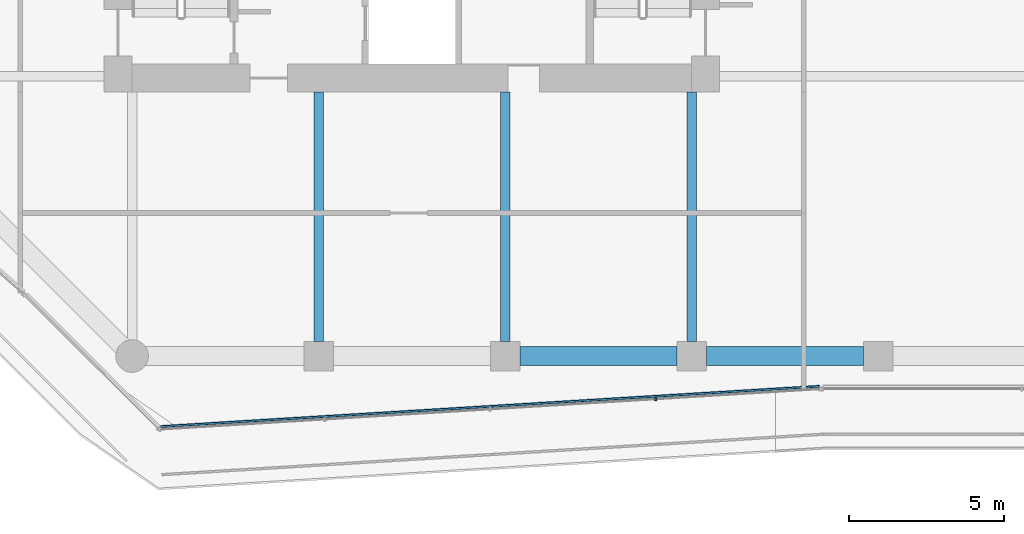
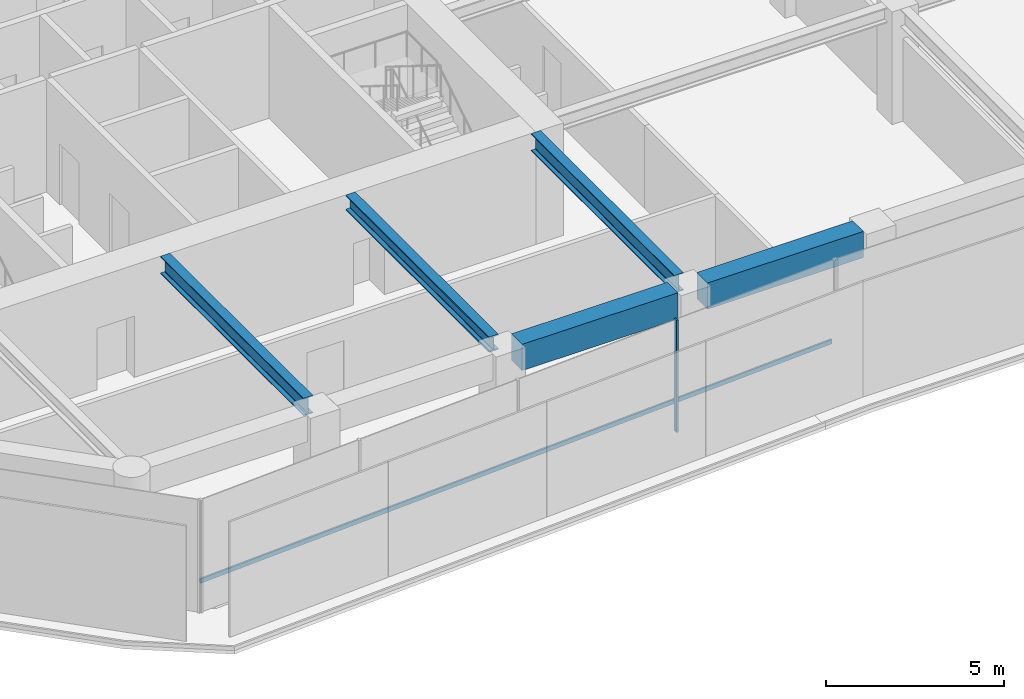
# One storey, part 3 of 29: 5 beams, 2 members, 1 element without a shape of its own.
"""IFC4 building model written with IfcOpenShell, lengths in metres."""

from ifc_helpers import new_model, si_unit, direction, frame, origin, origin_2d, place, context, subcontext, project, spatial, rectangle, i_section, extrude, material, layer, layer_set, material_profile, profile_set, type_object, element, aggregate, save


model = new_model("IFC4")

# Units and contexts
model_context = context("Model", 3, precision=1e-05, world=origin(), true_north=direction((0.0, 1.0)))
body_context = subcontext(model_context, "Body", "Model", "MODEL_VIEW")
ifc_project = project(units=[si_unit("LENGTHUNIT", "METRE"), si_unit("AREAUNIT", "SQUARE_METRE"), si_unit("VOLUMEUNIT", "CUBIC_METRE"), si_unit("PLANEANGLEUNIT", "RADIAN"), si_unit("MASSUNIT", "GRAM", prefix="KILO")], contexts=[model_context])

# Site, building, storey
site_placement = place(None, origin())
site = spatial("IfcSite", under=ifc_project, at=site_placement, CompositionType="ELEMENT")
building_placement = place(site_placement, origin())
building = spatial("IfcBuilding", under=site, at=building_placement, Name="Welwitschia Terrace Campus", CompositionType="ELEMENT")
storey_placement = place(building_placement, frame((0.0, 0.0, 66.800048828125)))
storey = spatial("IfcBuildingStorey", under=building, at=storey_placement, Name="L15", CompositionType="ELEMENT", Elevation=66.800048828125)

# Beam
ifc_material_1 = material(Name="Steel S355", Category="steel")
ifc_material_profile_1 = material_profile(ifc_material_1, i_section(OverallWidth=0.305908203125, OverallDepth=0.52392578125, WebThickness=0.02099609375, FlangeThickness=0.0400390625, FilletRadius=0.027099609375, at=origin_2d()))
ifc_profile_set_1 = profile_set([ifc_material_profile_1], Name="Steel S355")
beam_type_1 = type_object("IfcBeamType", Name="Interior girder HE 500 M", PredefinedType="BEAM", material=ifc_profile_set_1)
beam_placement = place(storey_placement, frame((18.0, -3.534423828125, 3.587890625), z_axis=(0.0, 1.0, 0.0), x_axis=(-1.0, 0.0, 0.0)))
element("IfcBeam", 1, at=beam_placement, inside=storey, type_object=beam_type_1, Name="Girder GB2", PredefinedType="BEAM", context=body_context, shape_type="SweptSolid", body=[
    extrude(i_section(OverallWidth=0.305908203125, OverallDepth=0.52392578125, WebThickness=0.02099609375, FlangeThickness=0.0400390625, FilletRadius=0.027099609375, at=origin_2d()), origin(), (0.0, 0.0, 1.0), 8.033447265625),
])

# Curtain wall, member
ifc_material_2 = material(Name="Bronze anodised aluminium", Category="aluminium")
ifc_layer = layer(ifc_material_2, 0.1201171875)
ifc_layer_set = layer_set([ifc_layer], Name="Bronze anodised aluminium")
curtain_wall_type = type_object("IfcCurtainWallType", Name="Curtain wall CW2 tower 6000", PredefinedType="NOTDEFINED", material=ifc_layer_set)
curtain_wall_placement = place(storey_placement, origin())
curtain_wall = element("IfcCurtainWall", 2, at=curtain_wall_placement, inside=storey, type_object=curtain_wall_type, Name="CW L15.2.0", PredefinedType="NOTDEFINED")
ifc_material_3 = material(Name="Bronze anodised aluminium", Category="aluminium")
ifc_material_profile_2 = material_profile(ifc_material_3, rectangle(XDim=0.1201171875, YDim=0.06005859375, at=origin_2d()))
ifc_profile_set_2 = profile_set([ifc_material_profile_2], Name="Bronze anodised aluminium")
member_type_1 = type_object("IfcMemberType", Name="Mullion 60x120", PredefinedType="MULLION", material=ifc_profile_set_2)
member_1_placement = place(storey_placement, frame((22.83984375, -5.3837890625, 0.0), z_axis=(0.0, 0.0, 1.0), x_axis=(-0.061048539535, 0.998134798422, 0.0)))
member_1 = element("IfcMember", 3, at=member_1_placement, type_object=member_type_1, Name="Mullion L15.2.0.3", PredefinedType="MULLION", context=body_context, shape_type="SweptSolid", body=[
    extrude(rectangle(XDim=0.1201171875, YDim=0.06005859375, at=origin_2d()), origin(), (0.0, 0.0, 1.0), 3.849853515625),
])

# Beams
ifc_material_4 = material(Name="Steel S355", Category="steel")
ifc_material_profile_3 = material_profile(ifc_material_4, i_section(OverallWidth=0.300048828125, OverallDepth=0.60009765625, WebThickness=0.015380859375, FlangeThickness=0.030029296875, FilletRadius=0.027099609375, at=origin_2d()))
ifc_profile_set_3 = profile_set([ifc_material_profile_3], Name="Steel S355")
beam_type_2 = type_object("IfcBeamType", Name="Primary beam HE 600 B", PredefinedType="BEAM", material=ifc_profile_set_3)
for number, where, z_axis, x_axis, name in (
    (4, (12.0, -3.5244140625, 3.550048828125), (0.0, 1.0, 0.0), (-1.0, 0.0, 0.0), "Primary beam PB2"),
    (5, (24.0, -3.5244140625, 3.550048828125), (0.0, 1.0, 0.0), (-1.0, 0.0, 0.0), "Primary beam PB2"),
):
    element("IfcBeam", number, at=place(storey_placement, frame(where, z_axis=z_axis, x_axis=x_axis)), inside=storey, type_object=beam_type_2, Name=name, PredefinedType="BEAM", context=body_context, shape_type="SweptSolid", body=[
        extrude(i_section(OverallWidth=0.300048828125, OverallDepth=0.60009765625, WebThickness=0.015380859375, FlangeThickness=0.030029296875, FilletRadius=0.027099609375, at=origin_2d()), origin(), (0.0, 0.0, 1.0), 8.0244140625),
    ])
ifc_material_5 = material(Name="Concrete C60/75", Category="concrete")
ifc_material_profile_4 = material_profile(ifc_material_5, rectangle(XDim=0.60009765625, YDim=0.89990234375, at=origin_2d()))
ifc_profile_set_4 = profile_set([ifc_material_profile_4], Name="Concrete C60/75")
beam_type_3 = type_object("IfcBeamType", Name="Ring spandrel 600x900", PredefinedType="SPANDREL", material=ifc_profile_set_4)
for number, where, z_axis, x_axis, name in (
    (6, (18.4755859375, -4.0, 3.39990234375), (1.0, 0.0, 0.0), (0.0, 1.0, 0.0), "Spandrel SP2"),
    (7, (24.4755859375, -4.0, 3.39990234375), (1.0, 0.0, 0.0), (0.0, 1.0, 0.0), "Spandrel SP2"),
):
    element("IfcBeam", number, at=place(storey_placement, frame(where, z_axis=z_axis, x_axis=x_axis)), inside=storey, type_object=beam_type_3, Name=name, PredefinedType="SPANDREL", context=body_context, shape_type="SweptSolid", body=[
        extrude(rectangle(XDim=0.60009765625, YDim=0.89990234375, at=origin_2d()), origin(), (0.0, 0.0, 1.0), 5.048828125),
    ])

# Member
ifc_material_6 = material(Name="Bronze anodised aluminium", Category="aluminium")
ifc_material_profile_5 = material_profile(ifc_material_6, rectangle(XDim=0.06005859375, YDim=0.14990234375, at=origin_2d()))
ifc_profile_set_5 = profile_set([ifc_material_profile_5], Name="Bronze anodised aluminium")
member_type_2 = type_object("IfcMemberType", Name="Transom 60x150", PredefinedType="USERDEFINED", material=ifc_profile_set_5)
member_2_placement = place(storey_placement, frame((6.9189453125, -6.267333984375, 1.0), z_axis=(0.998134955648, 0.061045968863, 0.0), x_axis=(-0.061045968863, 0.998134955648, 0.0)))
member_2 = element("IfcMember", 8, at=member_2_placement, type_object=member_type_2, Name="Transom L15.2.0", ObjectType="TRANSOM", PredefinedType="USERDEFINED", context=body_context, shape_type="SweptSolid", body=[
    extrude(rectangle(XDim=0.06005859375, YDim=0.14990234375, at=origin_2d()), origin(), (0.0, 0.0, 1.0), 21.22021484375),
])

aggregate(curtain_wall, [member_1, member_2])

save(model, "model.ifc")
